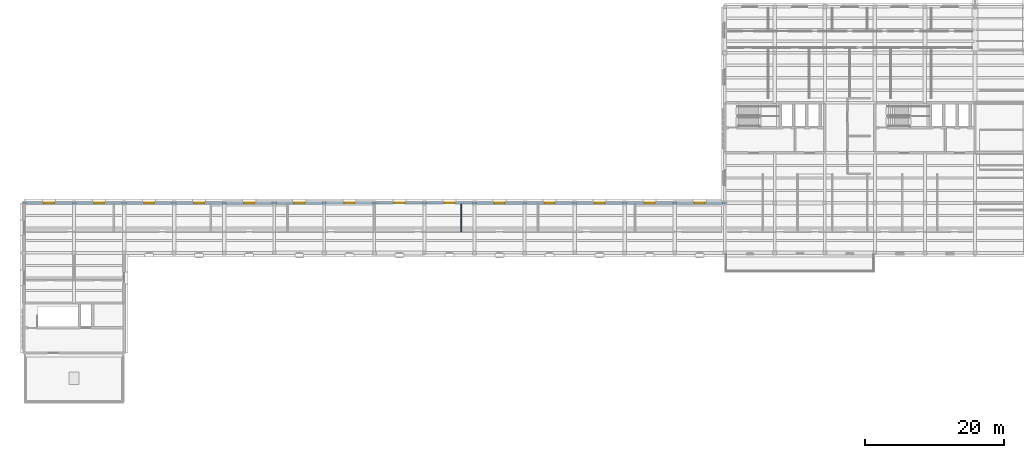
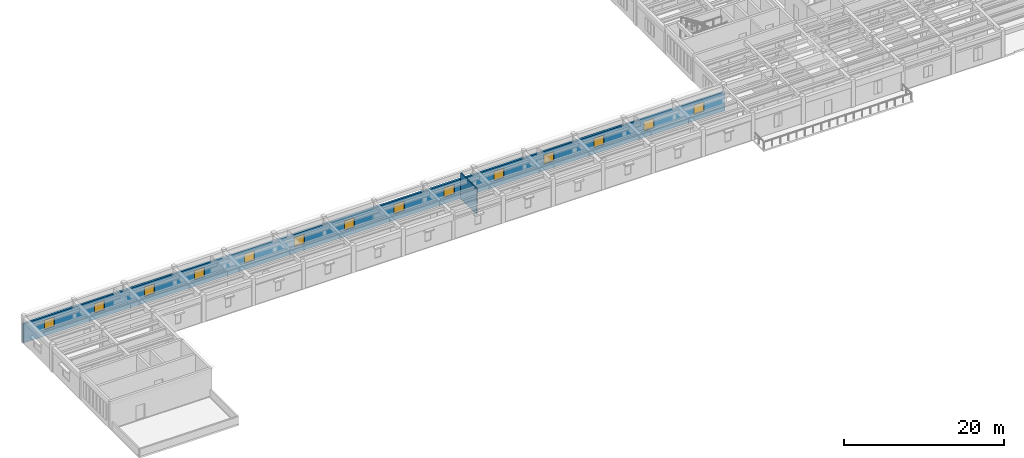
# One storey, part 12 of 22: 14 windows, 2 walls, 14 openings.
"""IFC4 building model written with IfcOpenShell, lengths in metres."""

from ifc_helpers import new_model, si_unit, direction, frame, frame_2d, origin, place, context, subcontext, project, spatial, rectangle, extrude, material, layer, layer_set, type_object, element, fill, save


model = new_model("IFC4")

# Units and contexts
model_context = context("Model", 3, precision=1e-05, world=origin(), true_north=direction((0.0, 1.0)))
body_context = subcontext(model_context, "Body", "Model", "MODEL_VIEW")
ifc_project = project(units=[si_unit("LENGTHUNIT", "METRE"), si_unit("AREAUNIT", "SQUARE_METRE"), si_unit("VOLUMEUNIT", "CUBIC_METRE"), si_unit("PLANEANGLEUNIT", "RADIAN"), si_unit("MASSUNIT", "GRAM", prefix="KILO")], contexts=[model_context])

# Site, building, storey
site_placement = place(None, origin())
site = spatial("IfcSite", under=ifc_project, at=site_placement, CompositionType="ELEMENT")
building_placement = place(site_placement, origin())
building = spatial("IfcBuilding", under=site, at=building_placement, Name="Mithqara Police Headquarters", CompositionType="ELEMENT")
storey_placement = place(building_placement, frame((0.0, 0.0, 22.199951171875)))
storey = spatial("IfcBuildingStorey", under=building, at=storey_placement, Name="L05", CompositionType="ELEMENT", Elevation=22.199951171875)

# Wall, openings, windows
ifc_material_1 = material(Name="Ochre masonry cavity wall, 35 MPa", Category="masonry")
ifc_layer_1 = layer(ifc_material_1, 0.300048828125, Name="Ochre masonry cavity wall, 35 MPa")
ifc_layer_set_1 = layer_set([ifc_layer_1], Name="Ochre masonry cavity wall, 35 MPa")
wall_type_1 = type_object("IfcWallType", Name="EXT WALL OCHRE BRICK300", PredefinedType="SOLIDWALL", material=ifc_layer_set_1)
wall_1_placement = place(storey_placement, frame((108.75, 85.800048828125, 0.0), z_axis=(0.0, 0.0, 1.0), x_axis=(-1.0, 0.0, 0.0)))
wall_1 = element("IfcWall", 1, at=wall_1_placement, inside=storey, type_object=wall_type_1, Name="L05 Exterior Wall 10.1", PredefinedType="SOLIDWALL", context=body_context, shape_type="SweptSolid", body=[
    extrude(rectangle(XDim=101.10009765625, YDim=0.300048828125, at=frame_2d((50.550048828125, 0.0))), origin(), (0.0, 0.0, 1.0), 2.920166015625),
])
opening_1_placement = place(wall_1_placement, frame((96.625, 0.0, 1.0)))
opening_1 = element("IfcOpeningElement", 2, at=opening_1_placement, cuts=wall_1, Name="Opening W-21", PredefinedType="OPENING", context=body_context, shape_type="SweptSolid", body=[
    extrude(rectangle(XDim=1.449951171875, YDim=1.39990234375, at=frame_2d((0.72509765625, 0.699951171875))), frame((0.0, 0.16015625, 0.0), z_axis=(0.0, -1.0, 0.0), x_axis=(1.0, 0.0, 0.0)), (0.0, 0.0, 1.0), 0.320068359375),
])
opening_2_placement = place(wall_1_placement, frame((89.425048828125, 0.0, 1.0)))
opening_2 = element("IfcOpeningElement", 3, at=opening_2_placement, cuts=wall_1, Name="Opening W-21", PredefinedType="OPENING", context=body_context, shape_type="SweptSolid", body=[
    extrude(rectangle(XDim=1.449951171875, YDim=1.39990234375, at=frame_2d((0.72509765625, 0.699951171875))), frame((0.0, 0.16015625, 0.0), z_axis=(0.0, -1.0, 0.0), x_axis=(1.0, 0.0, 0.0)), (0.0, 0.0, 1.0), 0.320068359375),
])
opening_3_placement = place(wall_1_placement, frame((82.22509765625, 0.0, 1.0)))
opening_3 = element("IfcOpeningElement", 4, at=opening_3_placement, cuts=wall_1, Name="Opening W-21", PredefinedType="OPENING", context=body_context, shape_type="SweptSolid", body=[
    extrude(rectangle(XDim=1.449951171875, YDim=1.39990234375, at=frame_2d((0.72509765625, 0.699951171875))), frame((0.0, 0.16015625, 0.0), z_axis=(0.0, -1.0, 0.0), x_axis=(1.0, 0.0, 0.0)), (0.0, 0.0, 1.0), 0.320068359375),
])
opening_4_placement = place(wall_1_placement, frame((75.02490234375, 0.0, 1.0)))
opening_4 = element("IfcOpeningElement", 5, at=opening_4_placement, cuts=wall_1, Name="Opening W-21", PredefinedType="OPENING", context=body_context, shape_type="SweptSolid", body=[
    extrude(rectangle(XDim=1.449951171875, YDim=1.39990234375, at=frame_2d((0.72509765625, 0.699951171875))), frame((0.0, 0.16015625, 0.0), z_axis=(0.0, -1.0, 0.0), x_axis=(1.0, 0.0, 0.0)), (0.0, 0.0, 1.0), 0.320068359375),
])
opening_5_placement = place(wall_1_placement, frame((67.824951171875, 0.0, 1.0)))
opening_5 = element("IfcOpeningElement", 6, at=opening_5_placement, cuts=wall_1, Name="Opening W-21", PredefinedType="OPENING", context=body_context, shape_type="SweptSolid", body=[
    extrude(rectangle(XDim=1.449951171875, YDim=1.39990234375, at=frame_2d((0.72509765625, 0.699951171875))), frame((0.0, 0.16015625, 0.0), z_axis=(0.0, -1.0, 0.0), x_axis=(1.0, 0.0, 0.0)), (0.0, 0.0, 1.0), 0.320068359375),
])
opening_6_placement = place(wall_1_placement, frame((60.625, 0.0, 1.0)))
opening_6 = element("IfcOpeningElement", 7, at=opening_6_placement, cuts=wall_1, Name="Opening W-21", PredefinedType="OPENING", context=body_context, shape_type="SweptSolid", body=[
    extrude(rectangle(XDim=1.449951171875, YDim=1.39990234375, at=frame_2d((0.72509765625, 0.699951171875))), frame((0.0, 0.16015625, 0.0), z_axis=(0.0, -1.0, 0.0), x_axis=(1.0, 0.0, 0.0)), (0.0, 0.0, 1.0), 0.320068359375),
])
opening_7_placement = place(wall_1_placement, frame((53.425048828125, 0.0, 1.0)))
opening_7 = element("IfcOpeningElement", 8, at=opening_7_placement, cuts=wall_1, Name="Opening W-21", PredefinedType="OPENING", context=body_context, shape_type="SweptSolid", body=[
    extrude(rectangle(XDim=1.449951171875, YDim=1.39990234375, at=frame_2d((0.72509765625, 0.699951171875))), frame((0.0, 0.16015625, 0.0), z_axis=(0.0, -1.0, 0.0), x_axis=(1.0, 0.0, 0.0)), (0.0, 0.0, 1.0), 0.320068359375),
])
opening_8_placement = place(wall_1_placement, frame((46.22509765625, 0.0, 1.0)))
opening_8 = element("IfcOpeningElement", 9, at=opening_8_placement, cuts=wall_1, Name="Opening W-21", PredefinedType="OPENING", context=body_context, shape_type="SweptSolid", body=[
    extrude(rectangle(XDim=1.449951171875, YDim=1.39990234375, at=frame_2d((0.72509765625, 0.699951171875))), frame((0.0, 0.16015625, 0.0), z_axis=(0.0, -1.0, 0.0), x_axis=(1.0, 0.0, 0.0)), (0.0, 0.0, 1.0), 0.320068359375),
])
opening_9_placement = place(wall_1_placement, frame((39.02490234375, 0.0, 1.0)))
opening_9 = element("IfcOpeningElement", 10, at=opening_9_placement, cuts=wall_1, Name="Opening W-21", PredefinedType="OPENING", context=body_context, shape_type="SweptSolid", body=[
    extrude(rectangle(XDim=1.449951171875, YDim=1.39990234375, at=frame_2d((0.72509765625, 0.699951171875))), frame((0.0, 0.16015625, 0.0), z_axis=(0.0, -1.0, 0.0), x_axis=(1.0, 0.0, 0.0)), (0.0, 0.0, 1.0), 0.320068359375),
])
opening_10_placement = place(wall_1_placement, frame((31.824951171875, 0.0, 1.0)))
opening_10 = element("IfcOpeningElement", 11, at=opening_10_placement, cuts=wall_1, Name="Opening W-21", PredefinedType="OPENING", context=body_context, shape_type="SweptSolid", body=[
    extrude(rectangle(XDim=1.449951171875, YDim=1.39990234375, at=frame_2d((0.72509765625, 0.699951171875))), frame((0.0, 0.16015625, 0.0), z_axis=(0.0, -1.0, 0.0), x_axis=(1.0, 0.0, 0.0)), (0.0, 0.0, 1.0), 0.320068359375),
])
opening_11_placement = place(wall_1_placement, frame((24.625, 0.0, 1.0)))
opening_11 = element("IfcOpeningElement", 12, at=opening_11_placement, cuts=wall_1, Name="Opening W-21", PredefinedType="OPENING", context=body_context, shape_type="SweptSolid", body=[
    extrude(rectangle(XDim=1.449951171875, YDim=1.39990234375, at=frame_2d((0.72509765625, 0.699951171875))), frame((0.0, 0.16015625, 0.0), z_axis=(0.0, -1.0, 0.0), x_axis=(1.0, 0.0, 0.0)), (0.0, 0.0, 1.0), 0.320068359375),
])
opening_12_placement = place(wall_1_placement, frame((17.425048828125, 0.0, 1.0)))
opening_12 = element("IfcOpeningElement", 13, at=opening_12_placement, cuts=wall_1, Name="Opening W-21", PredefinedType="OPENING", context=body_context, shape_type="SweptSolid", body=[
    extrude(rectangle(XDim=1.449951171875, YDim=1.39990234375, at=frame_2d((0.72509765625, 0.699951171875))), frame((0.0, 0.16015625, 0.0), z_axis=(0.0, -1.0, 0.0), x_axis=(1.0, 0.0, 0.0)), (0.0, 0.0, 1.0), 0.320068359375),
])
opening_13_placement = place(wall_1_placement, frame((10.22509765625, 0.0, 1.0)))
opening_13 = element("IfcOpeningElement", 14, at=opening_13_placement, cuts=wall_1, Name="Opening W-21", PredefinedType="OPENING", context=body_context, shape_type="SweptSolid", body=[
    extrude(rectangle(XDim=1.449951171875, YDim=1.39990234375, at=frame_2d((0.72509765625, 0.699951171875))), frame((0.0, 0.16015625, 0.0), z_axis=(0.0, -1.0, 0.0), x_axis=(1.0, 0.0, 0.0)), (0.0, 0.0, 1.0), 0.320068359375),
])
opening_14_placement = place(wall_1_placement, frame((3.02490234375, 0.0, 1.0)))
opening_14 = element("IfcOpeningElement", 15, at=opening_14_placement, cuts=wall_1, Name="Opening W-21", PredefinedType="OPENING", context=body_context, shape_type="SweptSolid", body=[
    extrude(rectangle(XDim=1.449951171875, YDim=1.39990234375, at=frame_2d((0.72509765625, 0.699951171875))), frame((0.0, 0.16015625, 0.0), z_axis=(0.0, -1.0, 0.0), x_axis=(1.0, 0.0, 0.0)), (0.0, 0.0, 1.0), 0.320068359375),
])
ifc_material_2 = material(Name="Spectrally selective double low-e glass", Category="glass")
window_type = type_object("IfcWindowType", Name="WINDOW 1450X1400", PartitioningType="SINGLE_PANEL", PredefinedType="WINDOW", material=ifc_material_2)
window_1_placement = place(opening_1_placement, origin())
window_1 = element("IfcWindow", 16, at=window_1_placement, inside=storey, type_object=window_type, Name="L05 Deep-Set Punched Window 10.1", OverallHeight=1.39990234375, OverallWidth=1.449951171875, PartitioningType="SINGLE_PANEL", PredefinedType="WINDOW", context=body_context, shape_type="SweptSolid", body=[
    extrude(rectangle(XDim=1.449951171875, YDim=1.39990234375, at=frame_2d((0.72509765625, 0.699951171875))), frame((0.0, 0.030029296875, 0.0), z_axis=(0.0, -1.0, 0.0), x_axis=(1.0, 0.0, 0.0)), (0.0, 0.0, 1.0), 0.06005859375),
])
fill(opening_1, window_1)
window_2_placement = place(opening_2_placement, origin())
window_2 = element("IfcWindow", 17, at=window_2_placement, inside=storey, type_object=window_type, Name="L05 Deep-Set Punched Window 10.2", OverallHeight=1.39990234375, OverallWidth=1.449951171875, PartitioningType="SINGLE_PANEL", PredefinedType="WINDOW", context=body_context, shape_type="SweptSolid", body=[
    extrude(rectangle(XDim=1.449951171875, YDim=1.39990234375, at=frame_2d((0.72509765625, 0.699951171875))), frame((0.0, 0.030029296875, 0.0), z_axis=(0.0, -1.0, 0.0), x_axis=(1.0, 0.0, 0.0)), (0.0, 0.0, 1.0), 0.06005859375),
])
fill(opening_2, window_2)
window_3_placement = place(opening_3_placement, origin())
window_3 = element("IfcWindow", 18, at=window_3_placement, inside=storey, type_object=window_type, Name="L05 Deep-Set Punched Window 10.3", OverallHeight=1.39990234375, OverallWidth=1.449951171875, PartitioningType="SINGLE_PANEL", PredefinedType="WINDOW", context=body_context, shape_type="SweptSolid", body=[
    extrude(rectangle(XDim=1.449951171875, YDim=1.39990234375, at=frame_2d((0.72509765625, 0.699951171875))), frame((0.0, 0.030029296875, 0.0), z_axis=(0.0, -1.0, 0.0), x_axis=(1.0, 0.0, 0.0)), (0.0, 0.0, 1.0), 0.06005859375),
])
fill(opening_3, window_3)
window_4_placement = place(opening_4_placement, origin())
window_4 = element("IfcWindow", 19, at=window_4_placement, inside=storey, type_object=window_type, Name="L05 Deep-Set Punched Window 10.4", OverallHeight=1.39990234375, OverallWidth=1.449951171875, PartitioningType="SINGLE_PANEL", PredefinedType="WINDOW", context=body_context, shape_type="SweptSolid", body=[
    extrude(rectangle(XDim=1.449951171875, YDim=1.39990234375, at=frame_2d((0.72509765625, 0.699951171875))), frame((0.0, 0.030029296875, 0.0), z_axis=(0.0, -1.0, 0.0), x_axis=(1.0, 0.0, 0.0)), (0.0, 0.0, 1.0), 0.06005859375),
])
fill(opening_4, window_4)
window_5_placement = place(opening_5_placement, origin())
window_5 = element("IfcWindow", 20, at=window_5_placement, inside=storey, type_object=window_type, Name="L05 Deep-Set Punched Window 10.5", OverallHeight=1.39990234375, OverallWidth=1.449951171875, PartitioningType="SINGLE_PANEL", PredefinedType="WINDOW", context=body_context, shape_type="SweptSolid", body=[
    extrude(rectangle(XDim=1.449951171875, YDim=1.39990234375, at=frame_2d((0.72509765625, 0.699951171875))), frame((0.0, 0.030029296875, 0.0), z_axis=(0.0, -1.0, 0.0), x_axis=(1.0, 0.0, 0.0)), (0.0, 0.0, 1.0), 0.06005859375),
])
fill(opening_5, window_5)
window_6_placement = place(opening_6_placement, origin())
window_6 = element("IfcWindow", 21, at=window_6_placement, inside=storey, type_object=window_type, Name="L05 Deep-Set Punched Window 10.6", OverallHeight=1.39990234375, OverallWidth=1.449951171875, PartitioningType="SINGLE_PANEL", PredefinedType="WINDOW", context=body_context, shape_type="SweptSolid", body=[
    extrude(rectangle(XDim=1.449951171875, YDim=1.39990234375, at=frame_2d((0.72509765625, 0.699951171875))), frame((0.0, 0.030029296875, 0.0), z_axis=(0.0, -1.0, 0.0), x_axis=(1.0, 0.0, 0.0)), (0.0, 0.0, 1.0), 0.06005859375),
])
fill(opening_6, window_6)
window_7_placement = place(opening_7_placement, origin())
window_7 = element("IfcWindow", 22, at=window_7_placement, inside=storey, type_object=window_type, Name="L05 Deep-Set Punched Window 10.7", OverallHeight=1.39990234375, OverallWidth=1.449951171875, PartitioningType="SINGLE_PANEL", PredefinedType="WINDOW", context=body_context, shape_type="SweptSolid", body=[
    extrude(rectangle(XDim=1.449951171875, YDim=1.39990234375, at=frame_2d((0.72509765625, 0.699951171875))), frame((0.0, 0.030029296875, 0.0), z_axis=(0.0, -1.0, 0.0), x_axis=(1.0, 0.0, 0.0)), (0.0, 0.0, 1.0), 0.06005859375),
])
fill(opening_7, window_7)
window_8_placement = place(opening_8_placement, origin())
window_8 = element("IfcWindow", 23, at=window_8_placement, inside=storey, type_object=window_type, Name="L05 Deep-Set Punched Window 10.8", OverallHeight=1.39990234375, OverallWidth=1.449951171875, PartitioningType="SINGLE_PANEL", PredefinedType="WINDOW", context=body_context, shape_type="SweptSolid", body=[
    extrude(rectangle(XDim=1.449951171875, YDim=1.39990234375, at=frame_2d((0.72509765625, 0.699951171875))), frame((0.0, 0.030029296875, 0.0), z_axis=(0.0, -1.0, 0.0), x_axis=(1.0, 0.0, 0.0)), (0.0, 0.0, 1.0), 0.06005859375),
])
fill(opening_8, window_8)
window_9_placement = place(opening_9_placement, origin())
window_9 = element("IfcWindow", 24, at=window_9_placement, inside=storey, type_object=window_type, Name="L05 Deep-Set Punched Window 10.9", OverallHeight=1.39990234375, OverallWidth=1.449951171875, PartitioningType="SINGLE_PANEL", PredefinedType="WINDOW", context=body_context, shape_type="SweptSolid", body=[
    extrude(rectangle(XDim=1.449951171875, YDim=1.39990234375, at=frame_2d((0.72509765625, 0.699951171875))), frame((0.0, 0.030029296875, 0.0), z_axis=(0.0, -1.0, 0.0), x_axis=(1.0, 0.0, 0.0)), (0.0, 0.0, 1.0), 0.06005859375),
])
fill(opening_9, window_9)
window_10_placement = place(opening_10_placement, origin())
window_10 = element("IfcWindow", 25, at=window_10_placement, inside=storey, type_object=window_type, Name="L05 Deep-Set Punched Window 10.10", OverallHeight=1.39990234375, OverallWidth=1.449951171875, PartitioningType="SINGLE_PANEL", PredefinedType="WINDOW", context=body_context, shape_type="SweptSolid", body=[
    extrude(rectangle(XDim=1.449951171875, YDim=1.39990234375, at=frame_2d((0.72509765625, 0.699951171875))), frame((0.0, 0.030029296875, 0.0), z_axis=(0.0, -1.0, 0.0), x_axis=(1.0, 0.0, 0.0)), (0.0, 0.0, 1.0), 0.06005859375),
])
fill(opening_10, window_10)
window_11_placement = place(opening_11_placement, origin())
window_11 = element("IfcWindow", 26, at=window_11_placement, inside=storey, type_object=window_type, Name="L05 Deep-Set Punched Window 10.11", OverallHeight=1.39990234375, OverallWidth=1.449951171875, PartitioningType="SINGLE_PANEL", PredefinedType="WINDOW", context=body_context, shape_type="SweptSolid", body=[
    extrude(rectangle(XDim=1.449951171875, YDim=1.39990234375, at=frame_2d((0.72509765625, 0.699951171875))), frame((0.0, 0.030029296875, 0.0), z_axis=(0.0, -1.0, 0.0), x_axis=(1.0, 0.0, 0.0)), (0.0, 0.0, 1.0), 0.06005859375),
])
fill(opening_11, window_11)
window_12_placement = place(opening_12_placement, origin())
window_12 = element("IfcWindow", 27, at=window_12_placement, inside=storey, type_object=window_type, Name="L05 Deep-Set Punched Window 10.12", OverallHeight=1.39990234375, OverallWidth=1.449951171875, PartitioningType="SINGLE_PANEL", PredefinedType="WINDOW", context=body_context, shape_type="SweptSolid", body=[
    extrude(rectangle(XDim=1.449951171875, YDim=1.39990234375, at=frame_2d((0.72509765625, 0.699951171875))), frame((0.0, 0.030029296875, 0.0), z_axis=(0.0, -1.0, 0.0), x_axis=(1.0, 0.0, 0.0)), (0.0, 0.0, 1.0), 0.06005859375),
])
fill(opening_12, window_12)
window_13_placement = place(opening_13_placement, origin())
window_13 = element("IfcWindow", 28, at=window_13_placement, inside=storey, type_object=window_type, Name="L05 Deep-Set Punched Window 10.13", OverallHeight=1.39990234375, OverallWidth=1.449951171875, PartitioningType="SINGLE_PANEL", PredefinedType="WINDOW", context=body_context, shape_type="SweptSolid", body=[
    extrude(rectangle(XDim=1.449951171875, YDim=1.39990234375, at=frame_2d((0.72509765625, 0.699951171875))), frame((0.0, 0.030029296875, 0.0), z_axis=(0.0, -1.0, 0.0), x_axis=(1.0, 0.0, 0.0)), (0.0, 0.0, 1.0), 0.06005859375),
])
fill(opening_13, window_13)
window_14_placement = place(opening_14_placement, origin())
window_14 = element("IfcWindow", 29, at=window_14_placement, inside=storey, type_object=window_type, Name="L05 Deep-Set Punched Window 10.14", OverallHeight=1.39990234375, OverallWidth=1.449951171875, PartitioningType="SINGLE_PANEL", PredefinedType="WINDOW", context=body_context, shape_type="SweptSolid", body=[
    extrude(rectangle(XDim=1.449951171875, YDim=1.39990234375, at=frame_2d((0.72509765625, 0.699951171875))), frame((0.0, 0.030029296875, 0.0), z_axis=(0.0, -1.0, 0.0), x_axis=(1.0, 0.0, 0.0)), (0.0, 0.0, 1.0), 0.06005859375),
])
fill(opening_14, window_14)

# Wall
ifc_material_3 = material(Name="Concrete C40/50", Category="concrete")
ifc_layer_2 = layer(ifc_material_3, 0.179931640625, Name="Concrete C40/50")
ifc_layer_set_2 = layer_set([ifc_layer_2], Name="Concrete C40/50")
wall_type_2 = type_object("IfcWallType", Name="PART WALL 180", PredefinedType="PARTITIONING", material=ifc_layer_set_2)
wall_2_placement = place(storey_placement, frame((70.695068359375, 81.639892578125, 0.0), z_axis=(0.0, 0.0, 1.0), x_axis=(0.0, 1.0, 0.0)))
element("IfcWall", 30, at=wall_2_placement, inside=storey, type_object=wall_type_2, Name="L05 Room Partition Professional Standards Hearing Room", PredefinedType="PARTITIONING", context=body_context, shape_type="SweptSolid", body=[
    extrude(rectangle(XDim=3.980224609375, YDim=0.179931640625, at=frame_2d((1.990234375, 0.0))), origin(), (0.0, 0.0, 1.0), 3.920166015625),
])

save(model, "model.ifc")
